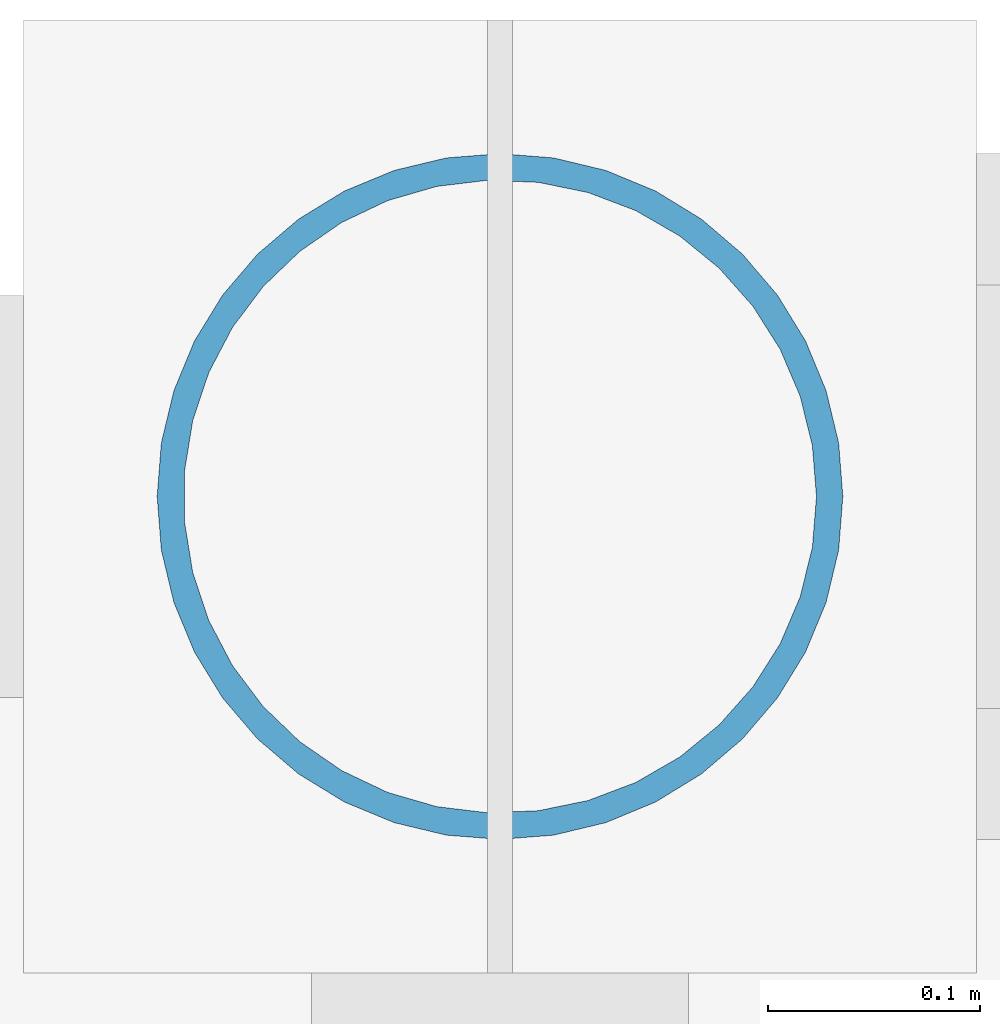
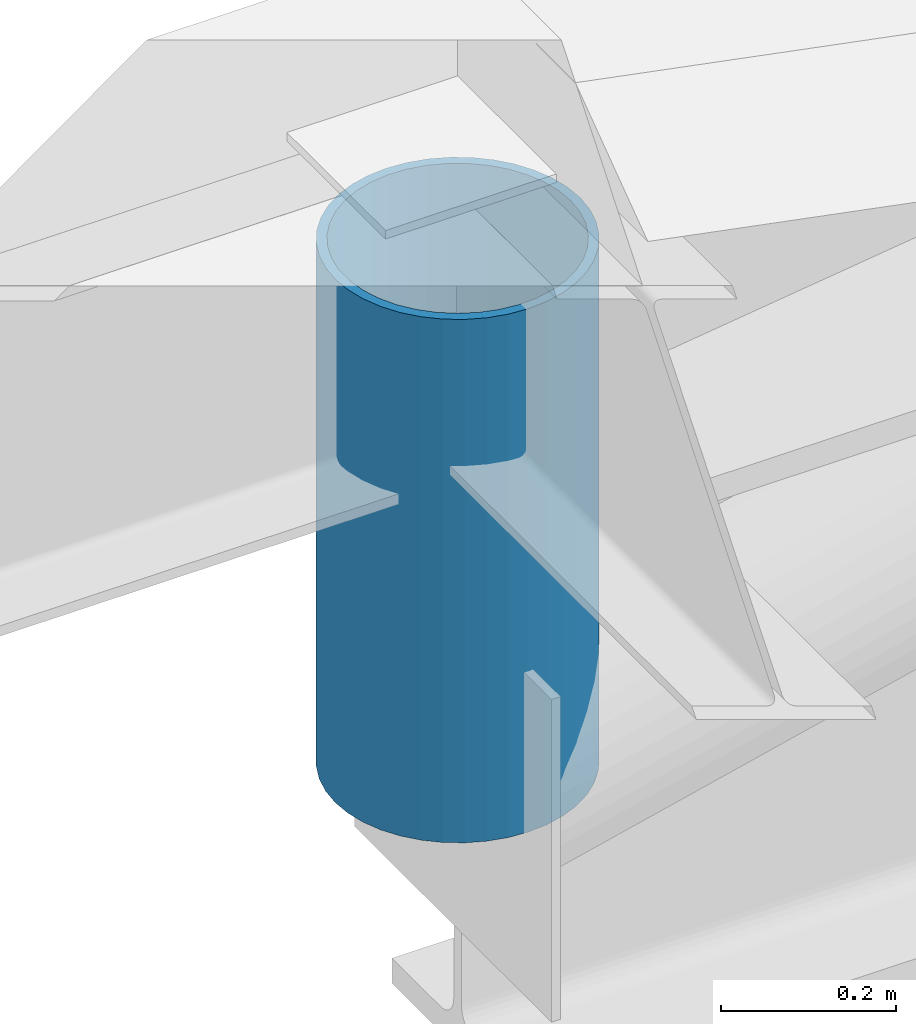
# One storey, part 4 of 11: 1 member.
"""IFC4 building model written with IfcOpenShell, lengths in metres."""

from ifc_helpers import new_model, si_unit, direction, frame, origin, origin_2d, place, context, subcontext, project, spatial, hollow_circle, extrude, material, material_profile, profile_set, type_object, element, save


model = new_model("IFC4")

# Units and contexts
model_context = context("Model", 3, precision=1e-05, world=origin(), true_north=direction((0.0, 1.0)))
body_context = subcontext(model_context, "Body", "Model", "MODEL_VIEW")
ifc_project = project(units=[si_unit("LENGTHUNIT", "METRE"), si_unit("AREAUNIT", "SQUARE_METRE"), si_unit("VOLUMEUNIT", "CUBIC_METRE"), si_unit("PLANEANGLEUNIT", "RADIAN"), si_unit("MASSUNIT", "GRAM", prefix="KILO"), si_unit("THERMODYNAMICTEMPERATUREUNIT", "KELVIN"), si_unit("POWERUNIT", "WATT")], contexts=[model_context])

# Site, building, storey
site_placement = place(None, origin())
site = spatial("IfcSite", under=ifc_project, at=site_placement, CompositionType="ELEMENT")
building_placement = place(site_placement, origin())
building = spatial("IfcBuilding", under=site, at=building_placement, Name="Tembeka Court Mobility Hub", CompositionType="ELEMENT")
storey_placement = place(building_placement, frame((0.0, 0.0, 28.800048828125)))
storey = spatial("IfcBuildingStorey", under=building, at=storey_placement, Name="RF", CompositionType="ELEMENT", Elevation=28.800048828125)

# Member
ifc_material = material(Name="Steel S355", Category="steel")
ifc_material_profile = material_profile(ifc_material, hollow_circle(Radius=0.161865234375, WallThickness=0.012451171875, at=origin_2d()), Name="CHS 323.9x12.5")
ifc_profile_set = profile_set([ifc_material_profile], Name="Steel S355")
member_type = type_object("IfcMemberType", Name="MEM-ST01", PredefinedType="STRUT", material=ifc_profile_set)
member_placement = place(storey_placement, frame((42.0, 80.39990234375, -1.150146484375), z_axis=(0.0, 0.0, 1.0), x_axis=(1.0, 0.0, 0.0)))
element("IfcMember", 1, at=member_placement, inside=storey, type_object=member_type, Name="Sports hall arch springing post SR01-6-P1", PredefinedType="STRUT", context=body_context, shape_type="SweptSolid", body=[
    extrude(hollow_circle(Radius=0.161865234375, WallThickness=0.012451171875, at=origin_2d()), origin(), (0.0, 0.0, 1.0), 0.72998046875),
])

save(model, "model.ifc")
